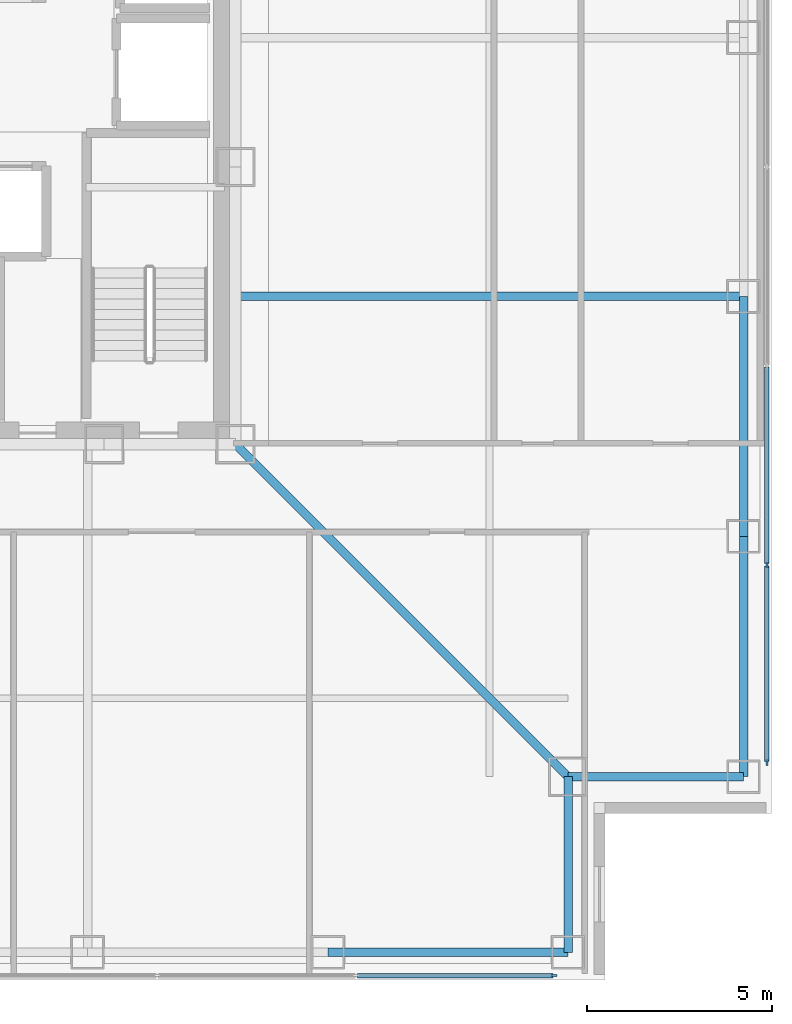
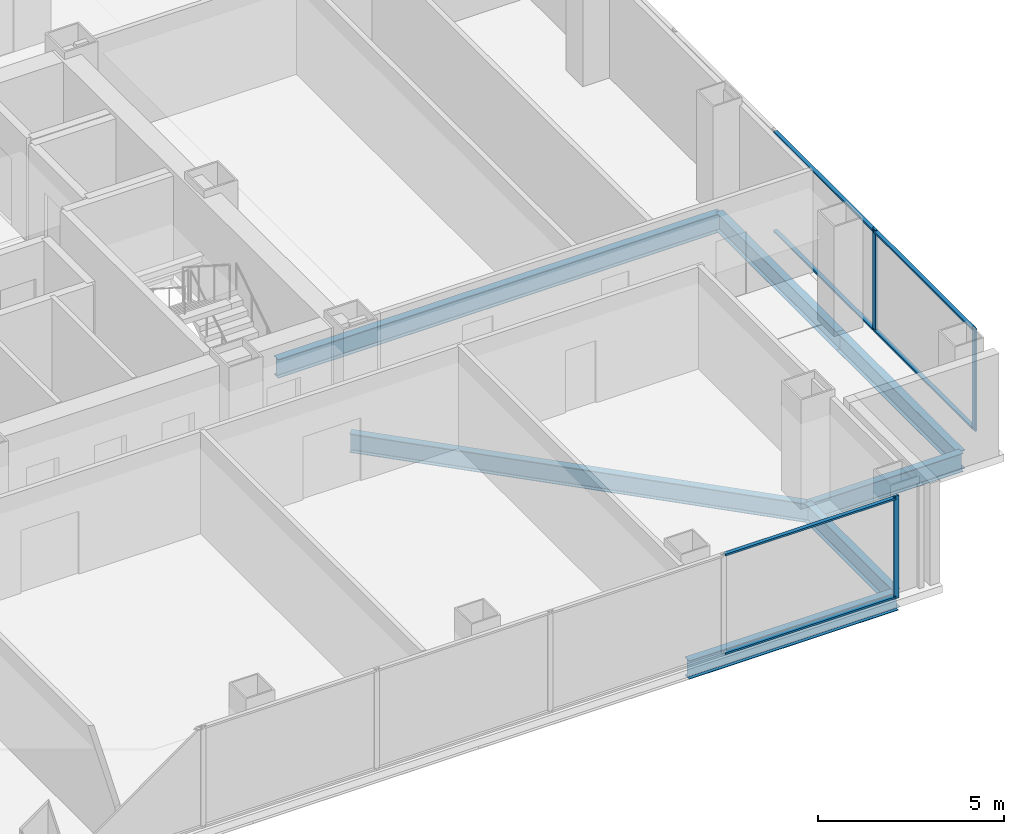
# One storey, part 7 of 17: 9 members, 7 beams, 2 elements without a shape of their own.
"""IFC4 building model written with IfcOpenShell, lengths in metres."""

from ifc_helpers import new_model, si_unit, direction, frame, origin, origin_2d, place, context, subcontext, project, spatial, rectangle, i_section, extrude, material, layer, layer_set, material_profile, profile_set, type_object, element, aggregate, save


model = new_model("IFC4")

# Units and contexts
model_context = context("Model", 3, precision=1e-05, world=origin(), true_north=direction((0.0, 1.0)))
body_context = subcontext(model_context, "Body", "Model", "MODEL_VIEW")
ifc_project = project(units=[si_unit("LENGTHUNIT", "METRE"), si_unit("AREAUNIT", "SQUARE_METRE"), si_unit("VOLUMEUNIT", "CUBIC_METRE"), si_unit("PLANEANGLEUNIT", "RADIAN"), si_unit("MASSUNIT", "GRAM", prefix="KILO")], contexts=[model_context])

# Site, building, storey
site_placement = place(None, origin())
site = spatial("IfcSite", under=ifc_project, at=site_placement, CompositionType="ELEMENT")
building_placement = place(site_placement, origin())
building = spatial("IfcBuilding", under=site, at=building_placement, Name="Trevonay Congress Spire", CompositionType="ELEMENT")
storey_placement = place(building_placement, frame((0.0, 0.0, 130.0)))
storey = spatial("IfcBuildingStorey", under=building, at=storey_placement, Name="L33", CompositionType="ELEMENT", Elevation=130.0)

# Beams
ifc_material_1 = material(Name="Steel ASTM A572 Grade 50", Category="steel")
ifc_material_profile_1 = material_profile(ifc_material_1, i_section(OverallWidth=0.22998046875, OverallDepth=0.616943359375, WebThickness=0.01318359375, FlangeThickness=0.022216796875, FilletRadius=0.01611328125, at=origin_2d()), Name="W610x140")
ifc_profile_set_1 = profile_set([ifc_material_profile_1], Name="Steel ASTM A572 Grade 50")
beam_type_1 = type_object("IfcBeamType", Name="BM-GIRD-W610X140", PredefinedType="BEAM", material=ifc_profile_set_1)
beam_1_placement = place(storey_placement, frame((7.5, -7.5, -0.548583984375), z_axis=(0.707106781187, -0.707106781187, 0.0), x_axis=(0.707106781187, 0.707106781187, 0.0)))
element("IfcBeam", 1, at=beam_1_placement, inside=storey, type_object=beam_type_1, Name="L33 structural beam BM-L33-CDSE", PredefinedType="BEAM", context=body_context, shape_type="SweptSolid", body=[
    extrude(i_section(OverallWidth=0.22998046875, OverallDepth=0.616943359375, WebThickness=0.01318359375, FlangeThickness=0.022216796875, FilletRadius=0.01611328125, at=origin_2d()), origin(), (0.0, 0.0, 1.0), 12.72802734375),
])
beam_2_placement = place(storey_placement, frame((7.5, -3.5, -0.548583984375), z_axis=(1.0, 0.0, 0.0), x_axis=(0.0, 1.0, 0.0)))
element("IfcBeam", 2, at=beam_2_placement, inside=storey, type_object=beam_type_1, Name="L33 structural beam BM-L33-GE-M", PredefinedType="BEAM", context=body_context, shape_type="SweptSolid", body=[
    extrude(i_section(OverallWidth=0.22998046875, OverallDepth=0.616943359375, WebThickness=0.01318359375, FlangeThickness=0.022216796875, FilletRadius=0.01611328125, at=origin_2d()), origin(), (0.0, 0.0, 1.0), 13.75),
])
ifc_material_profile_2 = material_profile(ifc_material_1, i_section(OverallWidth=0.22802734375, OverallDepth=0.60791015625, WebThickness=0.01123046875, FlangeThickness=0.017333984375, FilletRadius=0.01611328125, at=origin_2d()), Name="W610x113")
ifc_profile_set_2 = profile_set([ifc_material_profile_2], Name="Steel ASTM A572 Grade 50")
beam_type_2 = type_object("IfcBeamType", Name="BM-RING-W610X113", PredefinedType="BEAM", material=ifc_profile_set_2)
for number, where, z_axis, x_axis, name in (
    (3, (21.25, -16.5, -0.5439453125), (0.0, 1.0, 0.0), (-1.0, 0.0, 0.0), "L33 structural beam BM-L33-PE1"),
    (4, (21.25, -10.0, -0.5439453125), (0.0, 1.0, 0.0), (-1.0, 0.0, 0.0), "L33 structural beam BM-L33-PE2"),
    (5, (10.0, -21.25, -0.5439453125), (1.0, 0.0, 0.0), (0.0, 1.0, 0.0), "L33 structural beam BM-L33-PS5"),
):
    element("IfcBeam", number, at=place(storey_placement, frame(where, z_axis=z_axis, x_axis=x_axis)), inside=storey, type_object=beam_type_2, Name=name, PredefinedType="BEAM", context=body_context, shape_type="SweptSolid", body=[
        extrude(i_section(OverallWidth=0.22802734375, OverallDepth=0.60791015625, WebThickness=0.01123046875, FlangeThickness=0.017333984375, FilletRadius=0.01611328125, at=origin_2d()), origin(), (0.0, 0.0, 1.0), 6.5),
    ])
for number, where, z_axis, x_axis, name in (
    (6, (16.5, -21.25, -0.5439453125), (0.0, 1.0, 0.0), (-1.0, 0.0, 0.0), "L33 structural beam BM-L33-N1SE"),
    (7, (21.25, -16.5, -0.5439453125), (-1.0, 0.0, 0.0), (0.0, -1.0, 0.0), "L33 structural beam BM-L33-N2SE"),
):
    element("IfcBeam", number, at=place(storey_placement, frame(where, z_axis=z_axis, x_axis=x_axis)), inside=storey, type_object=beam_type_2, Name=name, PredefinedType="BEAM", context=body_context, shape_type="SweptSolid", body=[
        extrude(i_section(OverallWidth=0.22802734375, OverallDepth=0.60791015625, WebThickness=0.01123046875, FlangeThickness=0.017333984375, FilletRadius=0.01611328125, at=origin_2d()), origin(), (0.0, 0.0, 1.0), 4.75),
    ])

# Curtain wall, member
ifc_material_2 = material(Name="Pale Anodised Aluminium EN AW-6063-T6", Category="aluminium")
ifc_layer = layer(ifc_material_2, 0.175048828125, Name="Pale Anodised Aluminium EN AW-6063-T6")
ifc_layer_set = layer_set([ifc_layer], Name="Pale Anodised Aluminium EN AW-6063-T6")
curtain_wall_type = type_object("IfcCurtainWallType", Name="CW-SYS03-CONGRESS-PALE-METAL", PredefinedType="NOTDEFINED", material=ifc_layer_set)
curtain_wall_1_placement = place(storey_placement, origin())
curtain_wall_1 = element("IfcCurtainWall", 8, at=curtain_wall_1_placement, inside=storey, type_object=curtain_wall_type, Name="L33 S unitised curtain wall", PredefinedType="NOTDEFINED")
ifc_material_profile_3 = material_profile(ifc_material_2, rectangle(XDim=0.06005859375, YDim=0.159912109375, at=origin_2d()), Name="CW-MULLION-160-ALUMINIUM")
ifc_profile_set_3 = profile_set([ifc_material_profile_3], Name="Pale Anodised Aluminium EN AW-6063-T6")
member_type_1 = type_object("IfcMemberType", Name="CW-MULLION-160-ALUMINIUM", PredefinedType="MULLION", material=ifc_profile_set_3)
member_1_placement = place(storey_placement, frame((16.1201171875, -21.8798828125, 0.0), z_axis=(0.0, 0.0, 1.0), x_axis=(0.0, 1.0, 0.0)))
member_1 = element("IfcMember", 9, at=member_1_placement, type_object=member_type_1, Name="CW03 mullion 7", PredefinedType="MULLION", context=body_context, shape_type="SweptSolid", body=[
    extrude(rectangle(XDim=0.06005859375, YDim=0.159912109375, at=origin_2d()), origin(), (0.0, 0.0, 1.0), 3.360107421875),
])

# Curtain wall, members
curtain_wall_2_placement = place(storey_placement, origin())
curtain_wall_2 = element("IfcCurtainWall", 10, at=curtain_wall_2_placement, inside=storey, type_object=curtain_wall_type, Name="L33 E unitised curtain wall", PredefinedType="NOTDEFINED")
member_2_placement = place(storey_placement, frame((21.8798828125, -16.1201171875, 0.0), z_axis=(0.0, 0.0, 1.0), x_axis=(-1.0, 0.0, 0.0)))
member_2 = element("IfcMember", 11, at=member_2_placement, type_object=member_type_1, Name="CW03 mullion 1", PredefinedType="MULLION", context=body_context, shape_type="SweptSolid", body=[
    extrude(rectangle(XDim=0.06005859375, YDim=0.159912109375, at=origin_2d()), origin(), (0.0, 0.0, 1.0), 3.360107421875),
])
member_3_placement = place(storey_placement, frame((21.8798828125, -10.7666015625, 0.0), z_axis=(0.0, 0.0, 1.0), x_axis=(-1.0, 0.0, 0.0)))
member_3 = element("IfcMember", 12, at=member_3_placement, type_object=member_type_1, Name="CW03 mullion 2", PredefinedType="MULLION", context=body_context, shape_type="SweptSolid", body=[
    extrude(rectangle(XDim=0.06005859375, YDim=0.159912109375, at=origin_2d()), origin(), (0.0, 0.0, 1.0), 3.360107421875),
])

# Member
ifc_material_profile_4 = material_profile(ifc_material_2, rectangle(XDim=0.1201171875, YDim=0.06005859375, at=origin_2d()), Name="CW-TRANSOM-120-ALUMINIUM")
ifc_profile_set_4 = profile_set([ifc_material_profile_4], Name="Pale Anodised Aluminium EN AW-6063-T6")
member_type_2 = type_object("IfcMemberType", Name="CW-TRANSOM-120-ALUMINIUM", PredefinedType="USERDEFINED", material=ifc_profile_set_4)
member_4_placement = place(storey_placement, frame((10.796630859375, -21.8798828125, 0.06005859375), z_axis=(1.0, 0.0, 0.0), x_axis=(0.0, 1.0, 0.0)))
member_4 = element("IfcMember", 13, at=member_4_placement, type_object=member_type_2, Name="CW03 transom 6.1", ObjectType="TRANSOM", PredefinedType="USERDEFINED", context=body_context, shape_type="SweptSolid", body=[
    extrude(rectangle(XDim=0.1201171875, YDim=0.06005859375, at=origin_2d()), origin(), (0.0, 0.0, 1.0), 5.29345703125),
])

member_5_placement = place(storey_placement, frame((10.796630859375, -21.8798828125, 3.300048828125), z_axis=(1.0, 0.0, 0.0), x_axis=(0.0, 1.0, 0.0)))
member_5 = element("IfcMember", 14, at=member_5_placement, type_object=member_type_2, Name="CW03 transom 6.2", ObjectType="TRANSOM", PredefinedType="USERDEFINED", context=body_context, shape_type="SweptSolid", body=[
    extrude(rectangle(XDim=0.1201171875, YDim=0.06005859375, at=origin_2d()), origin(), (0.0, 0.0, 1.0), 5.29345703125),
])

aggregate(curtain_wall_1, [member_1, member_4, member_5])

member_6_placement = place(storey_placement, frame((21.8798828125, -16.090087890625, 0.06005859375), z_axis=(0.0, 1.0, 0.0), x_axis=(-1.0, 0.0, 0.0)))
member_6 = element("IfcMember", 15, at=member_6_placement, type_object=member_type_2, Name="CW03 transom 1.1", ObjectType="TRANSOM", PredefinedType="USERDEFINED", context=body_context, shape_type="SweptSolid", body=[
    extrude(rectangle(XDim=0.1201171875, YDim=0.06005859375, at=origin_2d()), origin(), (0.0, 0.0, 1.0), 5.29345703125),
])

member_7_placement = place(storey_placement, frame((21.8798828125, -16.090087890625, 3.300048828125), z_axis=(0.0, 1.0, 0.0), x_axis=(-1.0, 0.0, 0.0)))
member_7 = element("IfcMember", 16, at=member_7_placement, type_object=member_type_2, Name="CW03 transom 1.2", ObjectType="TRANSOM", PredefinedType="USERDEFINED", context=body_context, shape_type="SweptSolid", body=[
    extrude(rectangle(XDim=0.1201171875, YDim=0.06005859375, at=origin_2d()), origin(), (0.0, 0.0, 1.0), 5.29345703125),
])

member_8_placement = place(storey_placement, frame((21.8798828125, -10.736572265625, 0.06005859375), z_axis=(0.0, 1.0, 0.0), x_axis=(-1.0, 0.0, 0.0)))
member_8 = element("IfcMember", 17, at=member_8_placement, type_object=member_type_2, Name="CW03 transom 2.1", ObjectType="TRANSOM", PredefinedType="USERDEFINED", context=body_context, shape_type="SweptSolid", body=[
    extrude(rectangle(XDim=0.1201171875, YDim=0.06005859375, at=origin_2d()), origin(), (0.0, 0.0, 1.0), 5.3232421875),
])

member_9_placement = place(storey_placement, frame((21.8798828125, -10.736572265625, 3.300048828125), z_axis=(0.0, 1.0, 0.0), x_axis=(-1.0, 0.0, 0.0)))
member_9 = element("IfcMember", 18, at=member_9_placement, type_object=member_type_2, Name="CW03 transom 2.2", ObjectType="TRANSOM", PredefinedType="USERDEFINED", context=body_context, shape_type="SweptSolid", body=[
    extrude(rectangle(XDim=0.1201171875, YDim=0.06005859375, at=origin_2d()), origin(), (0.0, 0.0, 1.0), 5.3232421875),
])

aggregate(curtain_wall_2, [member_2, member_3, member_6, member_7, member_8, member_9])

save(model, "model.ifc")
